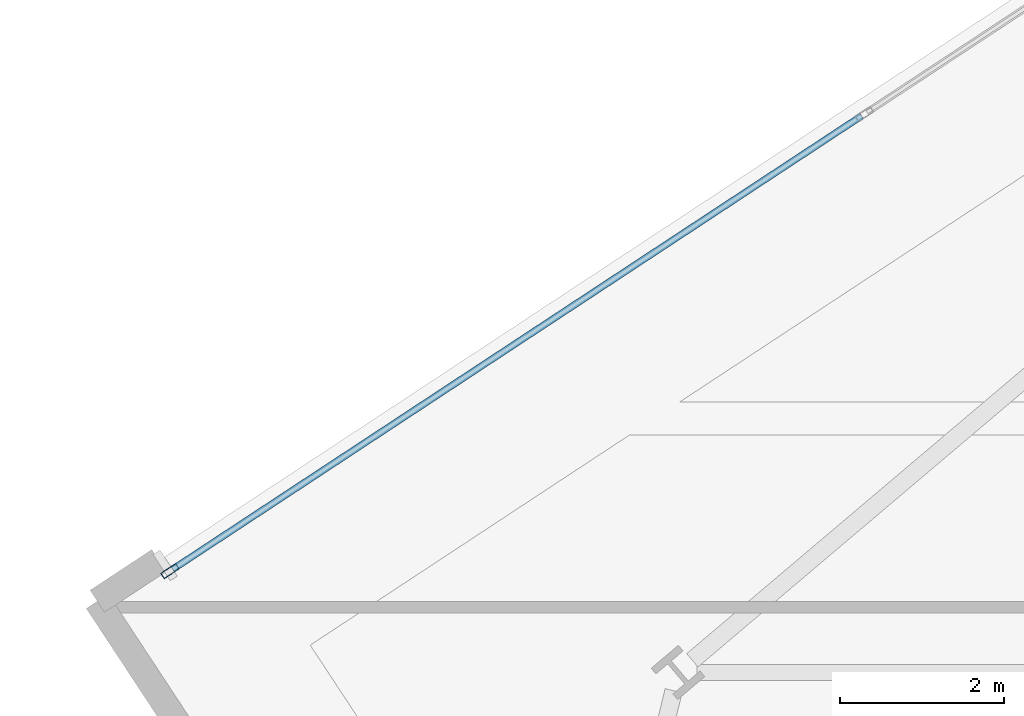
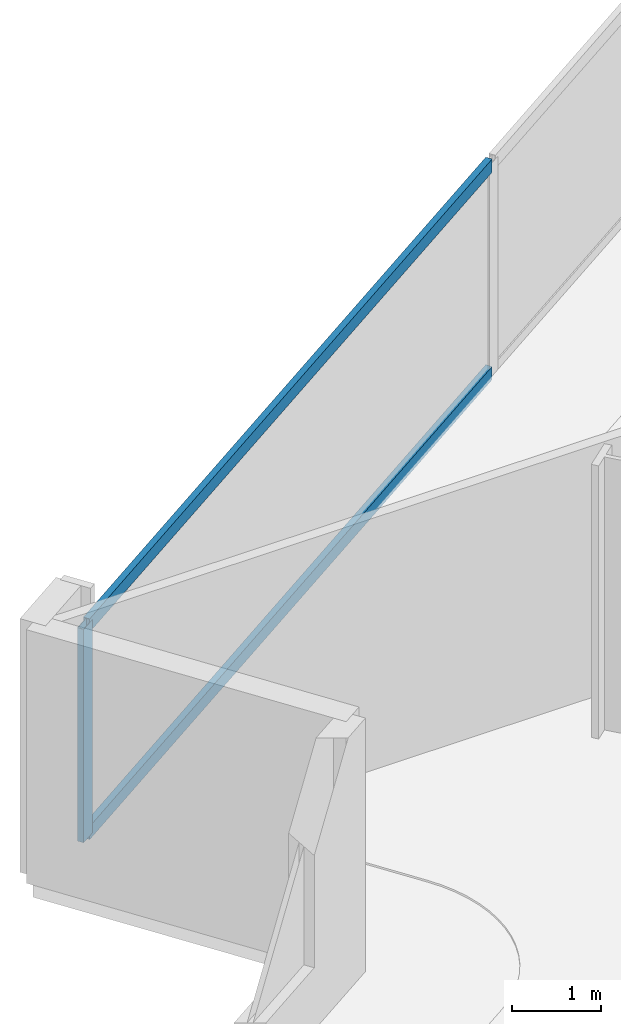
# One storey, part 13 of 29: 3 members, 1 element without a shape of its own.
"""IFC4 building model written with IfcOpenShell, lengths in metres."""

from ifc_helpers import new_model, si_unit, direction, frame, origin, origin_2d, place, context, subcontext, project, spatial, hollow_rectangle, extrude, material, material_profile, profile_set, type_object, element, aggregate, save


model = new_model("IFC4")

# Units and contexts
model_context = context("Model", 3, precision=1e-05, world=origin(), true_north=direction((0.0, 1.0)))
body_context = subcontext(model_context, "Body", "Model", "MODEL_VIEW")
ifc_project = project(units=[si_unit("LENGTHUNIT", "METRE"), si_unit("AREAUNIT", "SQUARE_METRE"), si_unit("VOLUMEUNIT", "CUBIC_METRE"), si_unit("PLANEANGLEUNIT", "RADIAN"), si_unit("MASSUNIT", "GRAM", prefix="KILO")], contexts=[model_context])

# Site, building, storey
site_placement = place(None, origin())
site = spatial("IfcSite", under=ifc_project, at=site_placement, CompositionType="ELEMENT")
building_placement = place(site_placement, origin())
building = spatial("IfcBuilding", under=site, at=building_placement, Name="Haldenkirk Collegiate Tower", CompositionType="ELEMENT")
storey_placement = place(building_placement, frame((0.0, 0.0, 140.699951171875)))
storey = spatial("IfcBuildingStorey", under=building, at=storey_placement, Name="L34", CompositionType="ELEMENT", Elevation=140.699951171875)

# Curtain wall, members
ifc_material = material(Name="Anodised architectural bronze aluminium", Category="aluminium")
curtain_wall_type = type_object("IfcCurtainWallType", Name="CW-SYS1-CONVEX-LOW", PredefinedType="USERDEFINED", material=ifc_material)
curtain_wall_placement = place(storey_placement, origin())
curtain_wall = element("IfcCurtainWall", 1, at=curtain_wall_placement, inside=storey, type_object=curtain_wall_type, Name="L34 Lower tower convex bronze-framed unitised curtain wall", ObjectType="UNITISED CURTAIN WALL", PredefinedType="USERDEFINED")
ifc_material_profile_1 = material_profile(ifc_material, hollow_rectangle(XDim=0.080078125, YDim=0.219970703125, WallThickness=0.0048828125, at=origin_2d()), Name="CW-MUL-1A")
ifc_profile_set_1 = profile_set([ifc_material_profile_1], Name="Anodised architectural bronze aluminium")
member_type_1 = type_object("IfcMemberType", Name="CW-MUL-1A", PredefinedType="MULLION", material=ifc_profile_set_1)
member_1_placement = place(storey_placement, frame((6.09130859375, 34.592529296875, 0.0), z_axis=(0.0, 0.0, 1.0), x_axis=(-0.549749899663, 0.835329305017, 0.0)))
member_1 = element("IfcMember", 2, at=member_1_placement, type_object=member_type_1, Name="CW-1A mullion 1", PredefinedType="MULLION", context=body_context, shape_type="SweptSolid", body=[
    extrude(hollow_rectangle(XDim=0.080078125, YDim=0.219970703125, WallThickness=0.0048828125, at=origin_2d()), origin(), (0.0, 0.0, 1.0), 2.9111328125),
])
ifc_material_profile_2 = material_profile(ifc_material, hollow_rectangle(XDim=0.080078125, YDim=0.179931640625, WallThickness=0.0048828125, at=origin_2d()), Name="CW-TRN-1A")
ifc_profile_set_2 = profile_set([ifc_material_profile_2], Name="Anodised architectural bronze aluminium")
member_type_2 = type_object("IfcMemberType", Name="CW-TRN-1A", PredefinedType="USERDEFINED", material=ifc_profile_set_2)
member_2_placement = place(storey_placement, frame((6.12451171875, 34.614501953125, 0.0400390625), z_axis=(0.835334720494, 0.549741670912, 0.0), x_axis=(-0.549741670912, 0.835334720494, 0.0)))
member_2 = element("IfcMember", 3, at=member_2_placement, type_object=member_type_2, Name="CW-1A transom 1.1", ObjectType="TRANSOM", PredefinedType="USERDEFINED", context=body_context, shape_type="SweptSolid", body=[
    extrude(hollow_rectangle(XDim=0.080078125, YDim=0.179931640625, WallThickness=0.0048828125, at=origin_2d()), origin(), (0.0, 0.0, 1.0), 10.030029296875),
])
member_3_placement = place(storey_placement, frame((6.12451171875, 34.614501953125, 2.87109375), z_axis=(0.835334720494, 0.549741670912, 0.0), x_axis=(-0.549741670912, 0.835334720494, 0.0)))
member_3 = element("IfcMember", 4, at=member_3_placement, type_object=member_type_2, Name="CW-1A transom 1.2", ObjectType="TRANSOM", PredefinedType="USERDEFINED", context=body_context, shape_type="SweptSolid", body=[
    extrude(hollow_rectangle(XDim=0.080078125, YDim=0.179931640625, WallThickness=0.0048828125, at=origin_2d()), origin(), (0.0, 0.0, 1.0), 10.030029296875),
])
aggregate(curtain_wall, [member_1, member_2, member_3])

save(model, "model.ifc")
